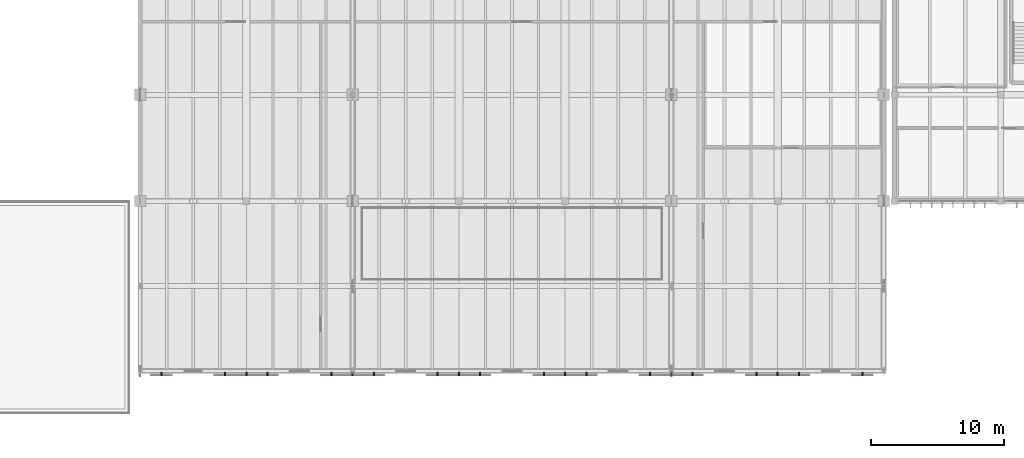
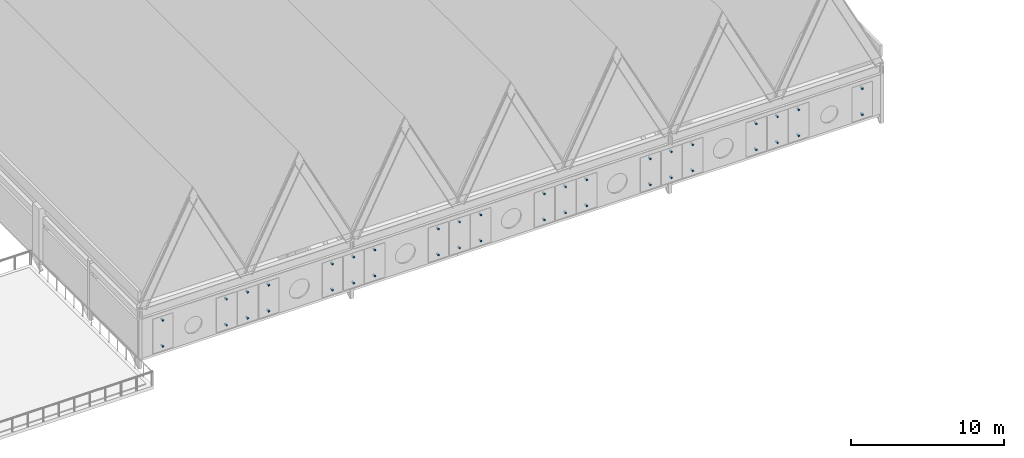
# One storey, part 58 of 72: 40 discrete accessories.
"""IFC4 building model written with IfcOpenShell, lengths in metres."""

from ifc_helpers import new_model, si_unit, direction, frame, origin, origin_2d, place, context, subcontext, project, spatial, rectangle, extrude, material, type_object, element, save


model = new_model("IFC4")

# Units and contexts
model_context = context("Model", 3, precision=1e-05, world=origin(), true_north=direction((0.0, 1.0)))
body_context = subcontext(model_context, "Body", "Model", "MODEL_VIEW")
ifc_project = project(units=[si_unit("LENGTHUNIT", "METRE"), si_unit("AREAUNIT", "SQUARE_METRE"), si_unit("VOLUMEUNIT", "CUBIC_METRE"), si_unit("PLANEANGLEUNIT", "RADIAN"), si_unit("MASSUNIT", "GRAM", prefix="KILO")], contexts=[model_context])

# Site, building, storey
site_placement = place(None, origin())
site = spatial("IfcSite", under=ifc_project, at=site_placement, CompositionType="ELEMENT")
building_placement = place(site_placement, origin())
building = spatial("IfcBuilding", under=site, at=building_placement, Name="Tlaxcora Railside Police Headquarters", CompositionType="ELEMENT")
storey_placement = place(building_placement, frame((0.0, 0.0, 13.5)))
storey = spatial("IfcBuildingStorey", under=building, at=storey_placement, Name="L03", CompositionType="ELEMENT", Elevation=13.5)

# Discrete accessories
ifc_material = material(Name="Steel ASTM A992 Grade 50", Category="steel")
discrete_accessory_type = type_object("IfcDiscreteAccessoryType", Name="Screen Support Bracket BK-01", PredefinedType="BRACKET", material=ifc_material)
for number, where, z_axis, x_axis, name in (
    (1, (47.60009765625, 22.987548828125, 0.489990234375), (0.0, 0.0, 1.0), (1.0, 0.0, 0.0), "Screen outrigger bracket SCR-V2-L03-0-0 B"),
    (2, (47.60009765625, 22.987548828125, 2.56494140625), (0.0, 0.0, 1.0), (1.0, 0.0, 0.0), "Screen outrigger bracket SCR-V2-L03-0-0 T"),
    (3, (52.39990234375, 22.987548828125, 0.489990234375), (0.0, 0.0, 1.0), (1.0, 0.0, 0.0), "Screen outrigger bracket SCR-V2-L03-0-3 B"),
    (4, (52.39990234375, 22.987548828125, 2.56494140625), (0.0, 0.0, 1.0), (1.0, 0.0, 0.0), "Screen outrigger bracket SCR-V2-L03-0-3 T"),
    (5, (54.0, 22.987548828125, 0.489990234375), (0.0, 0.0, 1.0), (1.0, 0.0, 0.0), "Screen outrigger bracket SCR-V2-L03-0-4 B"),
    (6, (54.0, 22.987548828125, 2.56494140625), (0.0, 0.0, 1.0), (1.0, 0.0, 0.0), "Screen outrigger bracket SCR-V2-L03-0-4 T"),
    (7, (55.60009765625, 22.987548828125, 0.489990234375), (0.0, 0.0, 1.0), (1.0, 0.0, 0.0), "Screen outrigger bracket SCR-V2-L03-0-5 B"),
    (8, (55.60009765625, 22.987548828125, 2.56494140625), (0.0, 0.0, 1.0), (1.0, 0.0, 0.0), "Screen outrigger bracket SCR-V2-L03-0-5 T"),
    (9, (60.39990234375, 22.987548828125, 0.489990234375), (0.0, 0.0, 1.0), (1.0, 0.0, 0.0), "Screen outrigger bracket SCR-V2-L03-0-8 B"),
    (10, (60.39990234375, 22.987548828125, 2.56494140625), (0.0, 0.0, 1.0), (1.0, 0.0, 0.0), "Screen outrigger bracket SCR-V2-L03-0-8 T"),
    (11, (62.0, 22.987548828125, 0.489990234375), (0.0, 0.0, 1.0), (1.0, 0.0, 0.0), "Screen outrigger bracket SCR-V2-L03-0-9 B"),
    (12, (62.0, 22.987548828125, 2.56494140625), (0.0, 0.0, 1.0), (1.0, 0.0, 0.0), "Screen outrigger bracket SCR-V2-L03-0-9 T"),
    (13, (63.60009765625, 22.987548828125, 0.489990234375), (0.0, 0.0, 1.0), (1.0, 0.0, 0.0), "Screen outrigger bracket SCR-V2-L03-0-10 B"),
    (14, (63.60009765625, 22.987548828125, 2.56494140625), (0.0, 0.0, 1.0), (1.0, 0.0, 0.0), "Screen outrigger bracket SCR-V2-L03-0-10 T"),
    (15, (68.39990234375, 22.987548828125, 0.489990234375), (0.0, 0.0, 1.0), (1.0, 0.0, 0.0), "Screen outrigger bracket SCR-V2-L03-0-13 B"),
    (16, (68.39990234375, 22.987548828125, 2.56494140625), (0.0, 0.0, 1.0), (1.0, 0.0, 0.0), "Screen outrigger bracket SCR-V2-L03-0-13 T"),
    (17, (70.0, 22.987548828125, 0.489990234375), (0.0, 0.0, 1.0), (1.0, 0.0, 0.0), "Screen outrigger bracket SCR-V2-L03-0-14 B"),
    (18, (70.0, 22.987548828125, 2.56494140625), (0.0, 0.0, 1.0), (1.0, 0.0, 0.0), "Screen outrigger bracket SCR-V2-L03-0-14 T"),
    (19, (71.60009765625, 22.987548828125, 0.489990234375), (0.0, 0.0, 1.0), (1.0, 0.0, 0.0), "Screen outrigger bracket SCR-V2-L03-0-15 B"),
    (20, (71.60009765625, 22.987548828125, 2.56494140625), (0.0, 0.0, 1.0), (1.0, 0.0, 0.0), "Screen outrigger bracket SCR-V2-L03-0-15 T"),
    (21, (76.39990234375, 22.987548828125, 0.489990234375), (0.0, 0.0, 1.0), (1.0, 0.0, 0.0), "Screen outrigger bracket SCR-V2-L03-0-18 B"),
    (22, (76.39990234375, 22.987548828125, 2.56494140625), (0.0, 0.0, 1.0), (1.0, 0.0, 0.0), "Screen outrigger bracket SCR-V2-L03-0-18 T"),
    (23, (78.0, 22.987548828125, 0.489990234375), (0.0, 0.0, 1.0), (1.0, 0.0, 0.0), "Screen outrigger bracket SCR-V2-L03-0-19 B"),
    (24, (78.0, 22.987548828125, 2.56494140625), (0.0, 0.0, 1.0), (1.0, 0.0, 0.0), "Screen outrigger bracket SCR-V2-L03-0-19 T"),
    (25, (79.60009765625, 22.987548828125, 0.489990234375), (0.0, 0.0, 1.0), (1.0, 0.0, 0.0), "Screen outrigger bracket SCR-V2-L03-0-20 B"),
    (26, (79.60009765625, 22.987548828125, 2.56494140625), (0.0, 0.0, 1.0), (1.0, 0.0, 0.0), "Screen outrigger bracket SCR-V2-L03-0-20 T"),
    (27, (84.39990234375, 22.987548828125, 0.489990234375), (0.0, 0.0, 1.0), (1.0, 0.0, 0.0), "Screen outrigger bracket SCR-V2-L03-0-23 B"),
    (28, (84.39990234375, 22.987548828125, 2.56494140625), (0.0, 0.0, 1.0), (1.0, 0.0, 0.0), "Screen outrigger bracket SCR-V2-L03-0-23 T"),
    (29, (86.0, 22.987548828125, 0.489990234375), (0.0, 0.0, 1.0), (1.0, 0.0, 0.0), "Screen outrigger bracket SCR-V2-L03-0-24 B"),
    (30, (86.0, 22.987548828125, 2.56494140625), (0.0, 0.0, 1.0), (1.0, 0.0, 0.0), "Screen outrigger bracket SCR-V2-L03-0-24 T"),
    (31, (87.60009765625, 22.987548828125, 0.489990234375), (0.0, 0.0, 1.0), (1.0, 0.0, 0.0), "Screen outrigger bracket SCR-V2-L03-0-25 B"),
    (32, (87.60009765625, 22.987548828125, 2.56494140625), (0.0, 0.0, 1.0), (1.0, 0.0, 0.0), "Screen outrigger bracket SCR-V2-L03-0-25 T"),
    (33, (92.39990234375, 22.987548828125, 0.489990234375), (0.0, 0.0, 1.0), (1.0, 0.0, 0.0), "Screen outrigger bracket SCR-V2-L03-0-28 B"),
    (34, (92.39990234375, 22.987548828125, 2.56494140625), (0.0, 0.0, 1.0), (1.0, 0.0, 0.0), "Screen outrigger bracket SCR-V2-L03-0-28 T"),
    (35, (94.0, 22.987548828125, 0.489990234375), (0.0, 0.0, 1.0), (1.0, 0.0, 0.0), "Screen outrigger bracket SCR-V2-L03-0-29 B"),
    (36, (94.0, 22.987548828125, 2.56494140625), (0.0, 0.0, 1.0), (1.0, 0.0, 0.0), "Screen outrigger bracket SCR-V2-L03-0-29 T"),
    (37, (95.60009765625, 22.987548828125, 0.489990234375), (0.0, 0.0, 1.0), (1.0, 0.0, 0.0), "Screen outrigger bracket SCR-V2-L03-0-30 B"),
    (38, (95.60009765625, 22.987548828125, 2.56494140625), (0.0, 0.0, 1.0), (1.0, 0.0, 0.0), "Screen outrigger bracket SCR-V2-L03-0-30 T"),
    (39, (100.39990234375, 22.987548828125, 0.489990234375), (0.0, 0.0, 1.0), (1.0, 0.0, 0.0), "Screen outrigger bracket SCR-V2-L03-0-33 B"),
    (40, (100.39990234375, 22.987548828125, 2.56494140625), (0.0, 0.0, 1.0), (1.0, 0.0, 0.0), "Screen outrigger bracket SCR-V2-L03-0-33 T"),
):
    element("IfcDiscreteAccessory", number, at=place(storey_placement, frame(where, z_axis=z_axis, x_axis=x_axis)), inside=storey, type_object=discrete_accessory_type, Name=name, PredefinedType="BRACKET", context=body_context, shape_type="SweptSolid", body=[
        extrude(rectangle(XDim=0.1201171875, YDim=0.239990234375, at=origin_2d()), origin(), (0.0, 0.0, 1.0), 0.1201171875),
    ])

save(model, "model.ifc")
